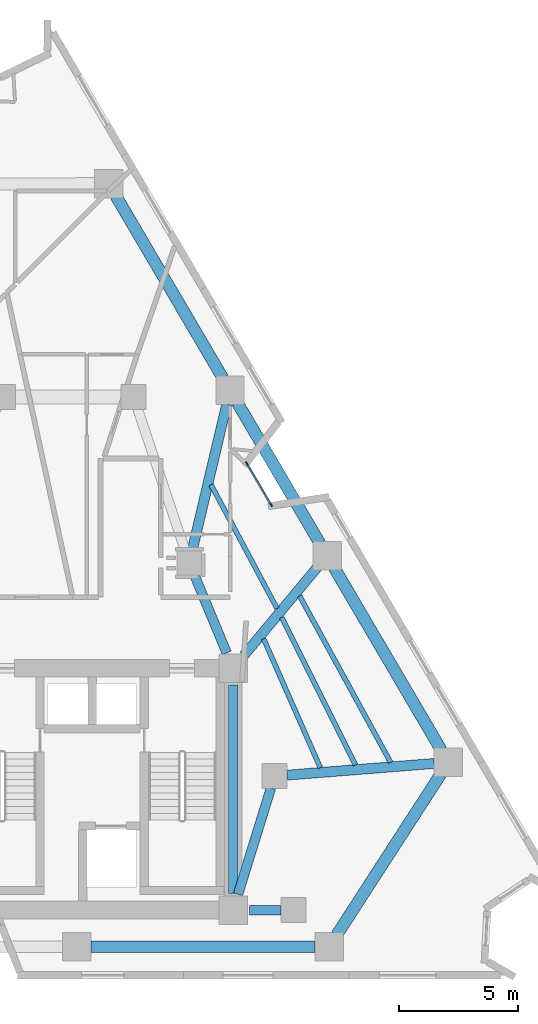
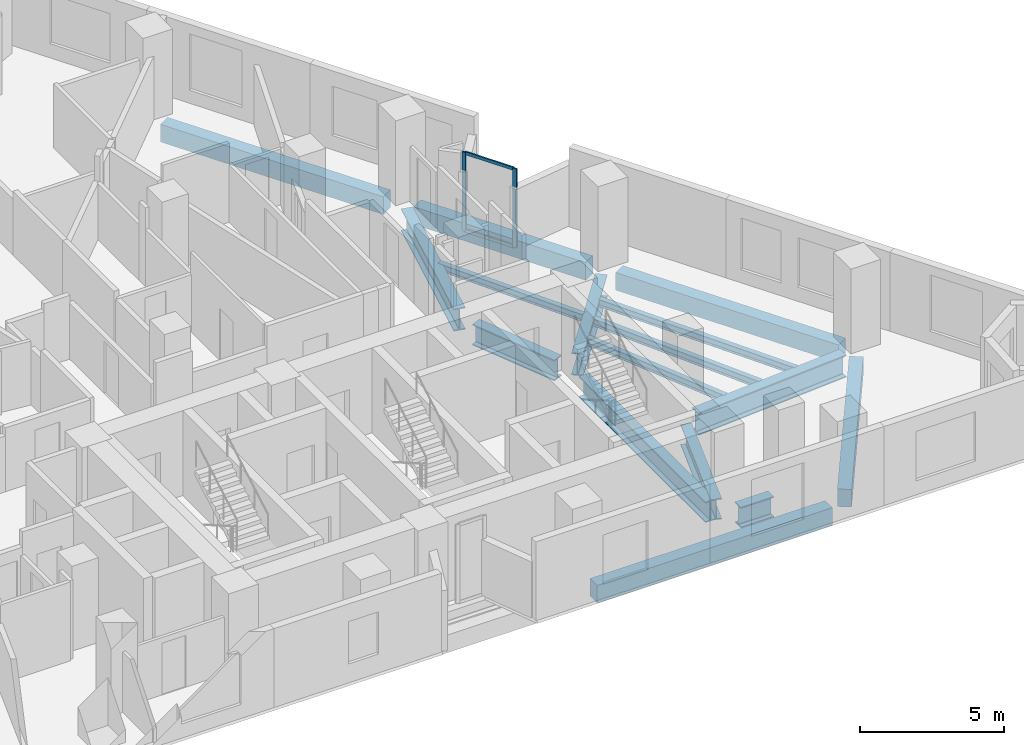
# One storey, part 4 of 12: 16 beams, 4 members, 1 element without a shape of its own.
"""IFC4 building model written with IfcOpenShell, lengths in metres."""

from ifc_helpers import new_model, si_unit, direction, frame, origin, origin_2d, place, context, subcontext, project, spatial, rectangle, i_section, extrude, material, layer, layer_set, material_profile, profile_set, type_object, element, aggregate, save


model = new_model("IFC4")

# Units and contexts
model_context = context("Model", 3, precision=1e-05, world=origin(), true_north=direction((0.0, 1.0)))
body_context = subcontext(model_context, "Body", "Model", "MODEL_VIEW")
ifc_project = project(units=[si_unit("LENGTHUNIT", "METRE"), si_unit("AREAUNIT", "SQUARE_METRE"), si_unit("VOLUMEUNIT", "CUBIC_METRE"), si_unit("PLANEANGLEUNIT", "RADIAN"), si_unit("MASSUNIT", "GRAM", prefix="KILO")], contexts=[model_context])

# Site, building, storey
site_placement = place(None, origin())
site = spatial("IfcSite", under=ifc_project, at=site_placement, CompositionType="ELEMENT")
building_placement = place(site_placement, origin())
building = spatial("IfcBuilding", under=site, at=building_placement, Name="Almagre Mirador Tower", CompositionType="ELEMENT")
storey_placement = place(building_placement, frame((0.0, 0.0, 110.39990234375)))
storey = spatial("IfcBuildingStorey", under=building, at=storey_placement, Name="L27", CompositionType="ELEMENT", Elevation=110.39990234375)

# Beams
ifc_material_1 = material(Name="Steel ASTM A992 Grade 50", Category="steel")
ifc_material_profile_1 = material_profile(ifc_material_1, i_section(OverallWidth=0.205078125, OverallDepth=0.31005859375, WebThickness=0.009521484375, FlangeThickness=0.016357421875, FilletRadius=0.013916015625, at=origin_2d()), Name="W12X50")
ifc_profile_set_1 = profile_set([ifc_material_profile_1], Name="Steel ASTM A992 Grade 50")
beam_type_1 = type_object("IfcBeamType", Name="BM-JST-W12X50", PredefinedType="JOIST", material=ifc_profile_set_1)
beam_1_placement = place(storey_placement, frame((53.694091796875, 10.783447265625, -0.40478515625), z_axis=(-0.479805004347, 0.87737515226, 0.0), x_axis=(-0.87737515226, -0.479805004347, 0.0)))
element("IfcBeam", 1, at=beam_1_placement, inside=storey, type_object=beam_type_1, Name="L27 secondary floor joist PC05-PC06.1", PredefinedType="JOIST", context=body_context, shape_type="SweptSolid", body=[
    extrude(i_section(OverallWidth=0.205078125, OverallDepth=0.31005859375, WebThickness=0.009521484375, FlangeThickness=0.016357421875, FilletRadius=0.013916015625, at=origin_2d()), origin(), (0.0, 0.0, 1.0), 8.00390625),
])
beam_2_placement = place(storey_placement, frame((52.210205078125, 10.668212890625, -0.40478515625), z_axis=(-0.447017370812, 0.894525276441, 0.0), x_axis=(-0.894525276441, -0.447017370812, 0.0)))
element("IfcBeam", 2, at=beam_2_placement, inside=storey, type_object=beam_type_1, Name="L27 secondary floor joist PC05-PC06.2", PredefinedType="JOIST", context=body_context, shape_type="SweptSolid", body=[
    extrude(i_section(OverallWidth=0.205078125, OverallDepth=0.31005859375, WebThickness=0.009521484375, FlangeThickness=0.016357421875, FilletRadius=0.013916015625, at=origin_2d()), origin(), (0.0, 0.0, 1.0), 6.9677734375),
])
beam_3_placement = place(storey_placement, frame((50.72900390625, 10.553955078125, -0.40478515625), z_axis=(-0.402748248023, 0.915310793509, 0.0), x_axis=(-0.915310793509, -0.402748248023, 0.0)))
element("IfcBeam", 3, at=beam_3_placement, inside=storey, type_object=beam_type_1, Name="L27 secondary floor joist PC05-PC06.3", PredefinedType="JOIST", context=body_context, shape_type="SweptSolid", body=[
    extrude(i_section(OverallWidth=0.205078125, OverallDepth=0.31005859375, WebThickness=0.009521484375, FlangeThickness=0.016357421875, FilletRadius=0.013916015625, at=origin_2d()), origin(), (0.0, 0.0, 1.0), 5.94482421875),
])
beam_4_placement = place(storey_placement, frame((48.9013671875, 17.27685546875, -0.40478515625), z_axis=(-0.470485340293, 0.882407810805, 0.0), x_axis=(-0.882407810805, -0.470485340293, 0.0)))
element("IfcBeam", 4, at=beam_4_placement, inside=storey, type_object=beam_type_1, Name="L27 secondary floor joist PC06-PC07.2", PredefinedType="JOIST", context=body_context, shape_type="SweptSolid", body=[
    extrude(i_section(OverallWidth=0.205078125, OverallDepth=0.31005859375, WebThickness=0.009521484375, FlangeThickness=0.016357421875, FilletRadius=0.013916015625, at=origin_2d()), origin(), (0.0, 0.0, 1.0), 5.911376953125),
])
ifc_material_2 = material(Name="Precast concrete C50/60", Category="concrete")
ifc_material_profile_2 = material_profile(ifc_material_2, rectangle(XDim=0.5, YDim=0.75, at=origin_2d()), Name="RC500X750")
ifc_profile_set_2 = profile_set([ifc_material_profile_2], Name="Precast concrete C50/60")
beam_type_2 = type_object("IfcBeamType", Name="BM-SPN-RC500X750", PredefinedType="SPANDREL", material=ifc_profile_set_2)
beam_5_placement = place(storey_placement, frame((41.055908203125, 3.0, -0.625), z_axis=(1.0, 0.0, 0.0), x_axis=(0.0, 1.0, 0.0)))
element("IfcBeam", 5, at=beam_5_placement, inside=storey, type_object=beam_type_2, Name="L27 perimeter spandrel beam PC03-PC04", PredefinedType="SPANDREL", context=body_context, shape_type="SweptSolid", body=[
    extrude(rectangle(XDim=0.5, YDim=0.75, at=origin_2d()), origin(), (0.0, 0.0, 1.0), 9.440185546875),
])
beam_6_placement = place(storey_placement, frame((51.422119140625, 3.503662109375, -0.625), z_axis=(0.543242499017, 0.839575837707, 0.0), x_axis=(-0.839575837707, 0.543242499017, 0.0)))
element("IfcBeam", 6, at=beam_6_placement, inside=storey, type_object=beam_type_2, Name="L27 perimeter spandrel beam PC04-PC05", PredefinedType="SPANDREL", context=body_context, shape_type="SweptSolid", body=[
    extrude(rectangle(XDim=0.5, YDim=0.75, at=origin_2d()), origin(), (0.0, 0.0, 1.0), 8.071533203125),
])
beam_7_placement = place(storey_placement, frame((55.8291015625, 11.301513671875, -0.625), z_axis=(-0.506318387543, 0.862346618498, 0.0), x_axis=(-0.862346618498, -0.506318387543, 0.0)))
element("IfcBeam", 7, at=beam_7_placement, inside=storey, type_object=beam_type_2, Name="L27 perimeter spandrel beam PC05-PC06", PredefinedType="SPANDREL", context=body_context, shape_type="SweptSolid", body=[
    extrude(rectangle(XDim=0.5, YDim=0.75, at=origin_2d()), origin(), (0.0, 0.0, 1.0), 8.911865234375),
])
beam_8_placement = place(storey_placement, frame((50.709228515625, 20.021484375, -0.625), z_axis=(-0.506343227047, 0.862332033745, 0.0), x_axis=(-0.862332033745, -0.506343227047, 0.0)))
element("IfcBeam", 8, at=beam_8_placement, inside=storey, type_object=beam_type_2, Name="L27 perimeter spandrel beam PC06-PC07", PredefinedType="SPANDREL", context=body_context, shape_type="SweptSolid", body=[
    extrude(rectangle(XDim=0.5, YDim=0.75, at=origin_2d()), origin(), (0.0, 0.0, 1.0), 6.8896484375),
])
beam_9_placement = place(storey_placement, frame((46.61328125, 26.997314453125, -0.625), z_axis=(-0.506326798076, 0.862341680281, 0.0), x_axis=(-0.862341680281, -0.506326798076, 0.0)))
element("IfcBeam", 9, at=beam_9_placement, inside=storey, type_object=beam_type_2, Name="L27 perimeter spandrel beam PC07-PC08", PredefinedType="SPANDREL", context=body_context, shape_type="SweptSolid", body=[
    extrude(rectangle(XDim=0.5, YDim=0.75, at=origin_2d()), origin(), (0.0, 0.0, 1.0), 8.912109375),
])
ifc_material_3 = material(Name="Steel ASTM A992 Grade 50", Category="steel")
ifc_material_profile_3 = material_profile(ifc_material_3, i_section(OverallWidth=0.404052734375, OverallDepth=0.884033203125, WebThickness=0.0244140625, FlangeThickness=0.0439453125, FilletRadius=0.02490234375, at=origin_2d()), Name="W33X291")
ifc_profile_set_3 = profile_set([ifc_material_profile_3], Name="Steel ASTM A992 Grade 50")
beam_type_3 = type_object("IfcBeamType", Name="BM-STL-W33X291", PredefinedType="BEAM", material=ifc_profile_set_3)
beam_10_placement = place(storey_placement, frame((47.050048828125, 5.25, -0.69189453125), z_axis=(0.0, 1.0, 0.0), x_axis=(-1.0, 0.0, 0.0)))
element("IfcBeam", 10, at=beam_10_placement, inside=storey, type_object=beam_type_3, Name="L27 core tie girder CC3-CC6", PredefinedType="BEAM", context=body_context, shape_type="SweptSolid", body=[
    extrude(i_section(OverallWidth=0.404052734375, OverallDepth=0.884033203125, WebThickness=0.0244140625, FlangeThickness=0.0439453125, FilletRadius=0.02490234375, at=origin_2d()), origin(), (0.0, 0.0, 1.0), 8.800048828125),
])
beam_11_placement = place(storey_placement, frame((49.074951171875, 4.550048828125, -0.69189453125), z_axis=(-1.0, 0.0, 0.0), x_axis=(0.0, -1.0, 0.0)))
element("IfcBeam", 11, at=beam_11_placement, inside=storey, type_object=beam_type_3, Name="L27 core tie girder MC2-CC3", PredefinedType="BEAM", context=body_context, shape_type="SweptSolid", body=[
    extrude(i_section(OverallWidth=0.404052734375, OverallDepth=0.884033203125, WebThickness=0.0244140625, FlangeThickness=0.0439453125, FilletRadius=0.02490234375, at=origin_2d()), origin(), (0.0, 0.0, 1.0), 1.324951171875),
])
beam_12_placement = place(storey_placement, frame((48.644775390625, 9.698486328125, -0.69189453125), z_axis=(-0.295899764084, -0.955218995632, 0.0), x_axis=(0.955218995632, -0.295899764084, 0.0)))
element("IfcBeam", 12, at=beam_12_placement, inside=storey, type_object=beam_type_3, Name="L27 core tie girder MC3-CC3", PredefinedType="BEAM", context=body_context, shape_type="SweptSolid", body=[
    extrude(i_section(OverallWidth=0.404052734375, OverallDepth=0.884033203125, WebThickness=0.0244140625, FlangeThickness=0.0439453125, FilletRadius=0.02490234375, at=origin_2d()), origin(), (0.0, 0.0, 1.0), 4.689697265625),
])
beam_13_placement = place(storey_placement, frame((45.401611328125, 18.715087890625, -0.69189453125), z_axis=(0.383877267306, -0.923384125728, 0.0), x_axis=(0.923384125728, 0.383877267306, 0.0)))
element("IfcBeam", 13, at=beam_13_placement, inside=storey, type_object=beam_type_3, Name="L27 core tie girder MC5-CC6", PredefinedType="BEAM", context=body_context, shape_type="SweptSolid", body=[
    extrude(i_section(OverallWidth=0.404052734375, OverallDepth=0.884033203125, WebThickness=0.0244140625, FlangeThickness=0.0439453125, FilletRadius=0.02490234375, at=origin_2d()), origin(), (0.0, 0.0, 1.0), 3.593994140625),
])
ifc_material_4 = material(Name="Steel ASTM A992 Grade 50", Category="steel")
ifc_material_profile_4 = material_profile(ifc_material_4, i_section(OverallWidth=0.423095703125, OverallDepth=0.947998046875, WebThickness=0.02392578125, FlangeThickness=0.042724609375, FilletRadius=0.028076171875, at=origin_2d()), Name="W36X302")
ifc_profile_set_4 = profile_set([ifc_material_profile_4], Name="Steel ASTM A992 Grade 50")
beam_type_4 = type_object("IfcBeamType", Name="BM-STL-W36X302", PredefinedType="BEAM", material=ifc_profile_set_4)
beam_14_placement = place(storey_placement, frame((55.534912109375, 10.736328125, -0.723876953125), z_axis=(-0.996844611006, -0.079377714181, 0.0), x_axis=(0.079377714181, -0.996844611006, 0.0)))
element("IfcBeam", 14, at=beam_14_placement, inside=storey, type_object=beam_type_4, Name="L27 radial floor girder PC05-MC3", PredefinedType="BEAM", context=body_context, shape_type="SweptSolid", body=[
    extrude(i_section(OverallWidth=0.423095703125, OverallDepth=0.947998046875, WebThickness=0.02392578125, FlangeThickness=0.042724609375, FilletRadius=0.028076171875, at=origin_2d()), origin(), (0.0, 0.0, 1.0), 6.2314453125),
])
beam_15_placement = place(storey_placement, frame((50.62890625, 19.043212890625, -0.723876953125), z_axis=(-0.64029735707, -0.768127134353, 0.0), x_axis=(0.768127134353, -0.64029735707, 0.0)))
element("IfcBeam", 15, at=beam_15_placement, inside=storey, type_object=beam_type_4, Name="L27 radial floor girder PC06-CC6", PredefinedType="BEAM", context=body_context, shape_type="SweptSolid", body=[
    extrude(i_section(OverallWidth=0.423095703125, OverallDepth=0.947998046875, WebThickness=0.02392578125, FlangeThickness=0.042724609375, FilletRadius=0.028076171875, at=origin_2d()), origin(), (0.0, 0.0, 1.0), 4.889404296875),
])
beam_16_placement = place(storey_placement, frame((46.779296875, 25.89599609375, -0.723876953125), z_axis=(-0.229551088102, -0.973296613552, 0.0), x_axis=(0.973296613552, -0.229551088102, 0.0)))
element("IfcBeam", 16, at=beam_16_placement, inside=storey, type_object=beam_type_4, Name="L27 radial floor girder PC07-MC5", PredefinedType="BEAM", context=body_context, shape_type="SweptSolid", body=[
    extrude(i_section(OverallWidth=0.423095703125, OverallDepth=0.947998046875, WebThickness=0.02392578125, FlangeThickness=0.042724609375, FilletRadius=0.028076171875, at=origin_2d()), origin(), (0.0, 0.0, 1.0), 6.354736328125),
])

# Curtain wall, members
ifc_material_5 = material(Name="Black anodized aluminium", Category="aluminium")
ifc_layer = layer(ifc_material_5, 0.169921875)
ifc_layer_set = layer_set([ifc_layer], Name="Black anodized aluminium")
curtain_wall_type = type_object("IfcCurtainWallType", Name="CW-CRS-SYS", PredefinedType="NOTDEFINED", material=ifc_layer_set)
curtain_wall_placement = place(storey_placement, origin())
curtain_wall = element("IfcCurtainWall", 17, at=curtain_wall_placement, inside=storey, type_object=curtain_wall_type, Name="L27 vertical crease curtain wall 03", PredefinedType="NOTDEFINED")
ifc_material_6 = material(Name="Black anodized aluminium", Category="aluminium")
ifc_material_profile_5 = material_profile(ifc_material_6, rectangle(XDim=0.06005859375, YDim=0.14990234375, at=origin_2d()), Name="CWM60X150")
ifc_profile_set_5 = profile_set([ifc_material_profile_5], Name="Black anodized aluminium")
member_type_1 = type_object("IfcMemberType", Name="MBR-CWM60X150", PredefinedType="MULLION", material=ifc_profile_set_5)
member_1_placement = place(storey_placement, frame((47.632080078125, 23.38720703125, 0.0), z_axis=(0.0, 0.0, 1.0), x_axis=(0.862474794745, 0.506100018207, 0.0)))
member_1 = element("IfcMember", 18, at=member_1_placement, type_object=member_type_1, Name="CW-4 mullion 1", PredefinedType="MULLION", context=body_context, shape_type="SweptSolid", body=[
    extrude(rectangle(XDim=0.06005859375, YDim=0.14990234375, at=origin_2d()), origin(), (0.0, 0.0, 1.0), 3.35009765625),
])
member_2_placement = place(storey_placement, frame((48.659912109375, 21.635986328125, 0.0), z_axis=(0.0, 0.0, 1.0), x_axis=(0.862474794745, 0.506100018207, 0.0)))
member_2 = element("IfcMember", 19, at=member_2_placement, type_object=member_type_1, Name="CW-4 mullion 2", PredefinedType="MULLION", context=body_context, shape_type="SweptSolid", body=[
    extrude(rectangle(XDim=0.06005859375, YDim=0.14990234375, at=origin_2d()), origin(), (0.0, 0.0, 1.0), 3.35009765625),
])
ifc_material_7 = material(Name="Black anodized aluminium", Category="aluminium")
ifc_material_profile_6 = material_profile(ifc_material_7, rectangle(XDim=0.06005859375, YDim=0.1298828125, at=origin_2d()), Name="CWT60X130")
ifc_profile_set_6 = profile_set([ifc_material_profile_6], Name="Black anodized aluminium")
member_type_2 = type_object("IfcMemberType", Name="MBR-CWT60X130", PredefinedType="USERDEFINED", material=ifc_profile_set_6)
member_3_placement = place(storey_placement, frame((47.6474609375, 23.361328125, 0.030029296875), z_axis=(0.506034276354, -0.862513368682, 0.0), x_axis=(0.862513368682, 0.506034276354, 0.0)))
member_3 = element("IfcMember", 20, at=member_3_placement, type_object=member_type_2, Name="CW-4 transom 1.1", ObjectType="TRANSOM", PredefinedType="USERDEFINED", context=body_context, shape_type="SweptSolid", body=[
    extrude(rectangle(XDim=0.06005859375, YDim=0.1298828125, at=origin_2d()), origin(), (0.0, 0.0, 1.0), 1.970458984375),
])
member_4_placement = place(storey_placement, frame((47.6474609375, 23.361328125, 3.320068359375), z_axis=(0.506034276354, -0.862513368682, 0.0), x_axis=(0.862513368682, 0.506034276354, 0.0)))
member_4 = element("IfcMember", 21, at=member_4_placement, type_object=member_type_2, Name="CW-4 transom 1.2", ObjectType="TRANSOM", PredefinedType="USERDEFINED", context=body_context, shape_type="SweptSolid", body=[
    extrude(rectangle(XDim=0.06005859375, YDim=0.1298828125, at=origin_2d()), origin(), (0.0, 0.0, 1.0), 1.970458984375),
])
aggregate(curtain_wall, [member_1, member_2, member_3, member_4])

save(model, "model.ifc")
